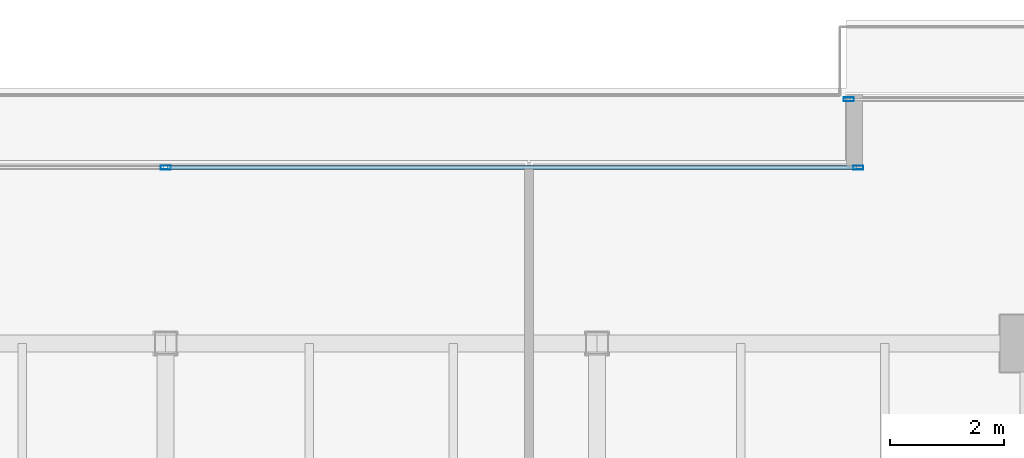
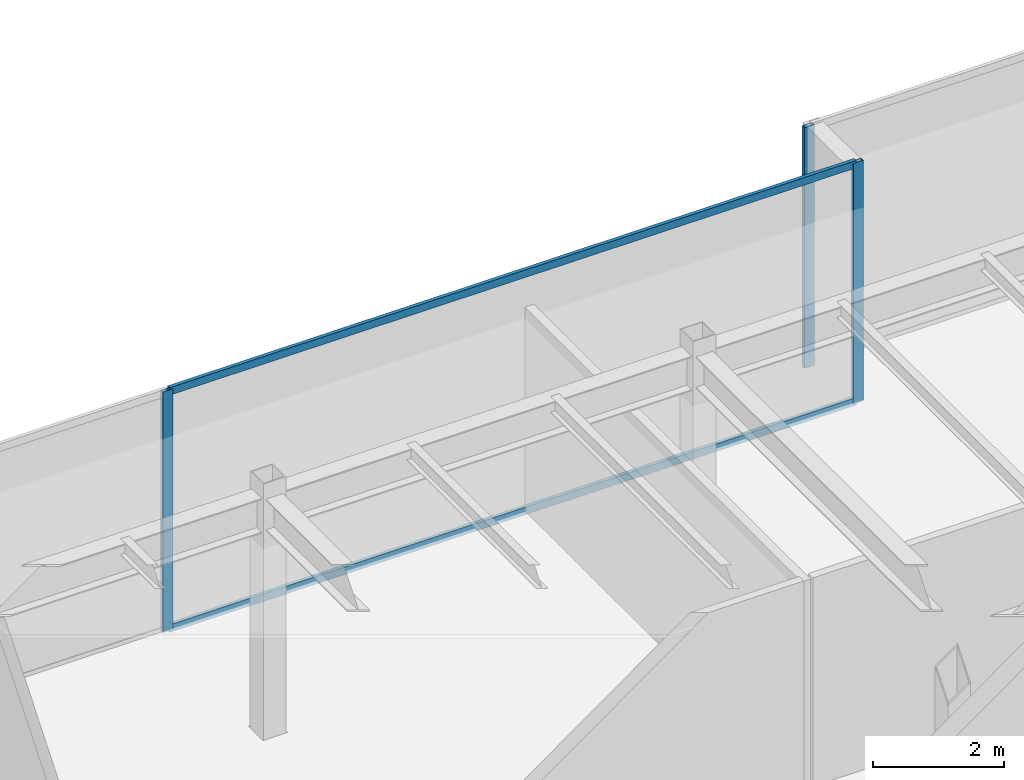
# One storey, part 19 of 37: 5 members, 2 elements without a shape of their own.
"""IFC4 building model written with IfcOpenShell, lengths in metres."""

from ifc_helpers import new_model, si_unit, direction, frame, origin, origin_2d, place, context, subcontext, project, spatial, hollow_rectangle, extrude, source, transform, mapped, material, layer, layer_set, material_profile, profile_set, type_object, type_shapes, element, aggregate, save


model = new_model("IFC4")

# Units and contexts
model_context = context("Model", 3, precision=1e-05, world=origin(), true_north=direction((0.0, 1.0)))
body_context = subcontext(model_context, "Body", "Model", "MODEL_VIEW")
ifc_project = project(units=[si_unit("LENGTHUNIT", "METRE"), si_unit("AREAUNIT", "SQUARE_METRE"), si_unit("VOLUMEUNIT", "CUBIC_METRE"), si_unit("PLANEANGLEUNIT", "RADIAN"), si_unit("MASSUNIT", "GRAM", prefix="KILO")], contexts=[model_context])

# Site, building, storey
site_placement = place(None, origin())
site = spatial("IfcSite", under=ifc_project, at=site_placement, CompositionType="ELEMENT")
building_placement = place(site_placement, origin())
building = spatial("IfcBuilding", under=site, at=building_placement, Name="Haelvirn Gate Laboratories", CompositionType="ELEMENT")
storey_placement = place(building_placement, frame((0.0, 0.0, 196.60009765625)))
storey = spatial("IfcBuildingStorey", under=building, at=storey_placement, Name="L47", CompositionType="ELEMENT", Elevation=196.60009765625)

# Curtain wall, member
ifc_material_1 = material(Name="Anodised bronze unitised aluminium & triple low-E glass", Category="aluminium")
ifc_layer = layer(ifc_material_1, 0.176025390625, Name="CW-SYS-4")
ifc_layer_set = layer_set([ifc_layer], Name="Anodised bronze unitised aluminium & triple low-E glass")
curtain_wall_type = type_object("IfcCurtainWallType", Name="CW-SYS-4", PredefinedType="NOTDEFINED", material=ifc_layer_set)
curtain_wall_1_placement = place(storey_placement, origin())
curtain_wall_1 = element("IfcCurtainWall", 1, at=curtain_wall_1_placement, inside=storey, type_object=curtain_wall_type, Name="L47 Unitised Curtain Wall CW-L47-P0-E10-1", PredefinedType="NOTDEFINED")
ifc_material_2 = material(Name="Extruded aluminium 6063-T6 (anodised bronze)", Category="aluminium")
ifc_material_profile_1 = material_profile(ifc_material_2, hollow_rectangle(XDim=0.070068359375, YDim=0.179931640625, WallThickness=0.0048828125, at=origin_2d()), Name="CWM-180x70x5")
ifc_profile_set_1 = profile_set([ifc_material_profile_1], Name="Extruded aluminium 6063-T6 (anodised bronze)")
member_type_1 = type_object("IfcMemberType", Name="CWM-T180", PredefinedType="MULLION", material=ifc_profile_set_1)
shared_shape_1 = source(origin(), body_context, "Body", "SweptSolid", [
    extrude(hollow_rectangle(XDim=0.070068359375, YDim=0.179931640625, WallThickness=0.0048828125, at=origin_2d()), origin(), (0.0, 0.0, 1.0), 4.5),
])
type_shapes(member_type_1, [shared_shape_1])
member_1_placement = place(storey_placement, frame((49.43505859375, 45.89990234375, 0.0), z_axis=(0.0, 0.0, 1.0), x_axis=(0.0, 1.0, 0.0)))
member_1 = element("IfcMember", 2, at=member_1_placement, type_object=member_type_1, Name="CW4 mullion 1", PredefinedType="MULLION", context=body_context, shape_type="MappedRepresentation", body=[
    mapped(shared_shape_1, transform((0.0, 0.0, 0.0), scale=1.0)),
])
aggregate(curtain_wall_1, [member_1])

# Curtain wall, members
curtain_wall_2_placement = place(storey_placement, origin())
curtain_wall_2 = element("IfcCurtainWall", 3, at=curtain_wall_2_placement, inside=storey, type_object=curtain_wall_type, Name="L47 Unitised Curtain Wall CW-L47-P0-E12-1", PredefinedType="NOTDEFINED")
member_2_placement = place(storey_placement, frame((37.39990234375, 44.699951171875, 0.0), z_axis=(0.0, 0.0, 1.0), x_axis=(0.0, 1.0, 0.0)))
member_2 = element("IfcMember", 4, at=member_2_placement, type_object=member_type_1, Name="CW4 mullion 2", PredefinedType="MULLION", context=body_context, shape_type="MappedRepresentation", body=[
    mapped(shared_shape_1, transform((0.0, 0.0, 0.0), scale=1.0)),
])
member_3_placement = place(storey_placement, frame((49.60498046875, 44.699951171875, 0.0), z_axis=(0.0, 0.0, 1.0), x_axis=(0.0, 1.0, 0.0)))
member_3 = element("IfcMember", 5, at=member_3_placement, type_object=member_type_1, Name="CW4 mullion 3", PredefinedType="MULLION", context=body_context, shape_type="MappedRepresentation", body=[
    mapped(shared_shape_1, transform((0.0, 0.0, 0.0), scale=1.0)),
])
ifc_material_profile_2 = material_profile(ifc_material_2, hollow_rectangle(XDim=0.06494140625, YDim=0.139892578125, WallThickness=0.00390625, at=origin_2d()), Name="CWT-140x65x4")
ifc_profile_set_2 = profile_set([ifc_material_profile_2], Name="Extruded aluminium 6063-T6 (anodised bronze)")
member_type_2 = type_object("IfcMemberType", Name="CWT-T140", PredefinedType="USERDEFINED", material=ifc_profile_set_2)
shared_shape_2 = source(origin(), body_context, "Body", "SweptSolid", [
    extrude(hollow_rectangle(XDim=0.06494140625, YDim=0.139892578125, WallThickness=0.00390625, at=origin_2d()), origin(), (0.0, 0.0, 1.0), 12.135009765625),
])
type_shapes(member_type_2, [shared_shape_2])
member_4_placement = place(storey_placement, frame((37.43505859375, 44.699951171875, 0.032470703125), z_axis=(1.0, 0.0, 0.0), x_axis=(0.0, 1.0, 0.0)))
member_4 = element("IfcMember", 6, at=member_4_placement, type_object=member_type_2, Name="CW4 transom 2.1", ObjectType="TRANSOM", PredefinedType="USERDEFINED", context=body_context, shape_type="MappedRepresentation", body=[
    mapped(shared_shape_2, transform((0.0, 0.0, 0.0), scale=1.0)),
])
member_5_placement = place(storey_placement, frame((37.43505859375, 44.699951171875, 4.46728515625), z_axis=(1.0, 0.0, 0.0), x_axis=(0.0, 1.0, 0.0)))
member_5 = element("IfcMember", 7, at=member_5_placement, type_object=member_type_2, Name="CW4 transom 2.2", ObjectType="TRANSOM", PredefinedType="USERDEFINED", context=body_context, shape_type="MappedRepresentation", body=[
    mapped(shared_shape_2, transform((0.0, 0.0, 0.0), scale=1.0)),
])
aggregate(curtain_wall_2, [member_2, member_3, member_4, member_5])

save(model, "model.ifc")
